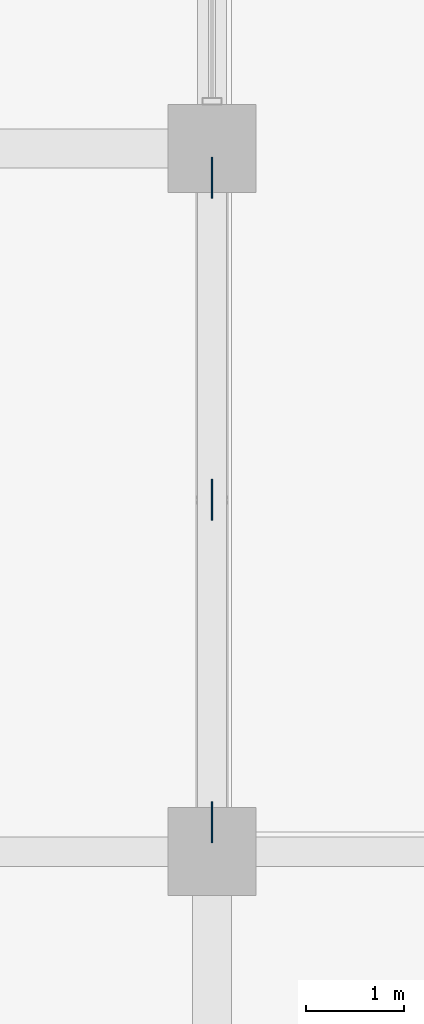
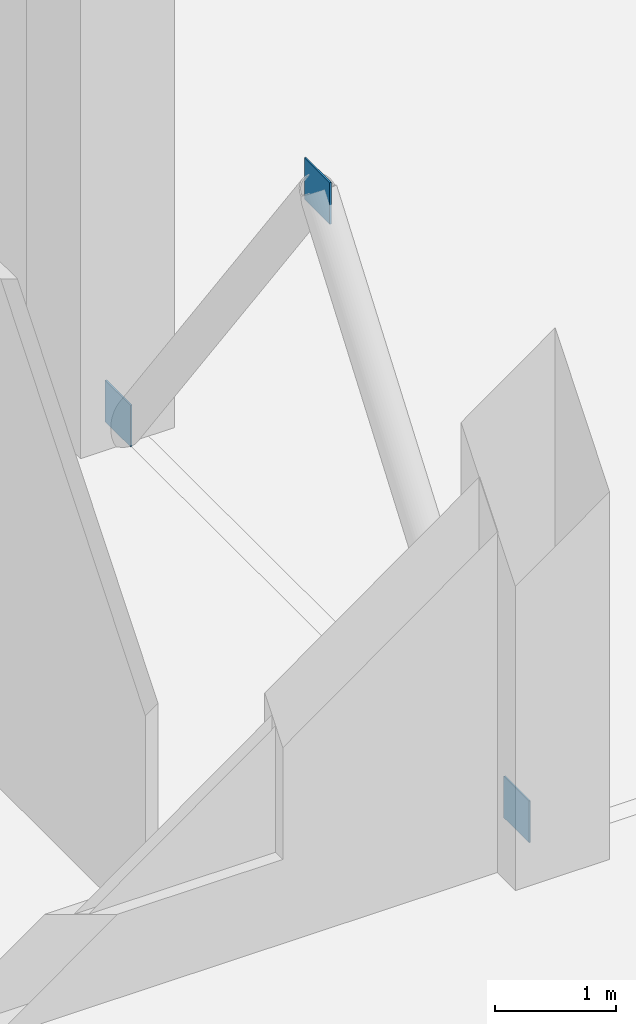
# One storey, part 55 of 90: 3 plates.
"""IFC4 building model written with IfcOpenShell, lengths in metres."""

from ifc_helpers import new_model, si_unit, direction, frame, origin, origin_2d, place, context, subcontext, project, spatial, rectangle, extrude, material, layer, layer_set, type_object, element, save


model = new_model("IFC4")

# Units and contexts
model_context = context("Model", 3, precision=1e-05, world=origin(), true_north=direction((0.0, 1.0)))
body_context = subcontext(model_context, "Body", "Model", "MODEL_VIEW")
ifc_project = project(units=[si_unit("LENGTHUNIT", "METRE"), si_unit("AREAUNIT", "SQUARE_METRE"), si_unit("VOLUMEUNIT", "CUBIC_METRE"), si_unit("PLANEANGLEUNIT", "RADIAN"), si_unit("MASSUNIT", "GRAM", prefix="KILO")], contexts=[model_context])

# Site, building, storey
site_placement = place(None, origin())
site = spatial("IfcSite", under=ifc_project, at=site_placement, CompositionType="ELEMENT")
building_placement = place(site_placement, origin())
building = spatial("IfcBuilding", under=site, at=building_placement, Name="Kangsadwip Square Police Headquarters", CompositionType="ELEMENT")
storey_placement = place(building_placement, origin())
storey = spatial("IfcBuildingStorey", under=building, at=storey_placement, Name="L00", CompositionType="ELEMENT", Elevation=0.0)

# Plates
ifc_material = material(Name="Structural steel IS 2062 E350 (Grade 350, 350 MPa)", Category="steel")
ifc_layer = layer(ifc_material, 0.01611328125)
ifc_layer_set = layer_set([ifc_layer], Name="Structural steel IS 2062 E350 (Grade 350, 350 MPa)")
plate_type = type_object("IfcPlateType", Name="TrussGussetPlate16", PredefinedType="USERDEFINED", material=ifc_layer_set)
for number, where, z_axis, x_axis, name in (
    (1, (21.60009765625, 39.60009765625, 4.25), (0.0, 0.0, 1.0), (0.0, 1.0, 0.0), "Truss Node Gusset Plate GP-L00-0127"),
    (2, (21.60009765625, 36.300048828125, 0.0), (0.0, 0.0, 1.0), (0.0, 1.0, 0.0), "Truss Node Gusset Plate GP-L00-0128"),
    (3, (21.60009765625, 42.89990234375, 0.0), (0.0, 0.0, 1.0), (0.0, 1.0, 0.0), "Truss Node Gusset Plate GP-L00-0129"),
):
    element("IfcPlate", number, at=place(storey_placement, frame(where, z_axis=z_axis, x_axis=x_axis)), inside=storey, type_object=plate_type, Name=name, ObjectType="GUSSET_PLATE", PredefinedType="USERDEFINED", context=body_context, shape_type="SweptSolid", body=[
        extrude(rectangle(XDim=0.419921875, YDim=0.01611328125, at=origin_2d()), origin(), (0.0, 0.0, 1.0), 0.419921875),
    ])

save(model, "model.ifc")
